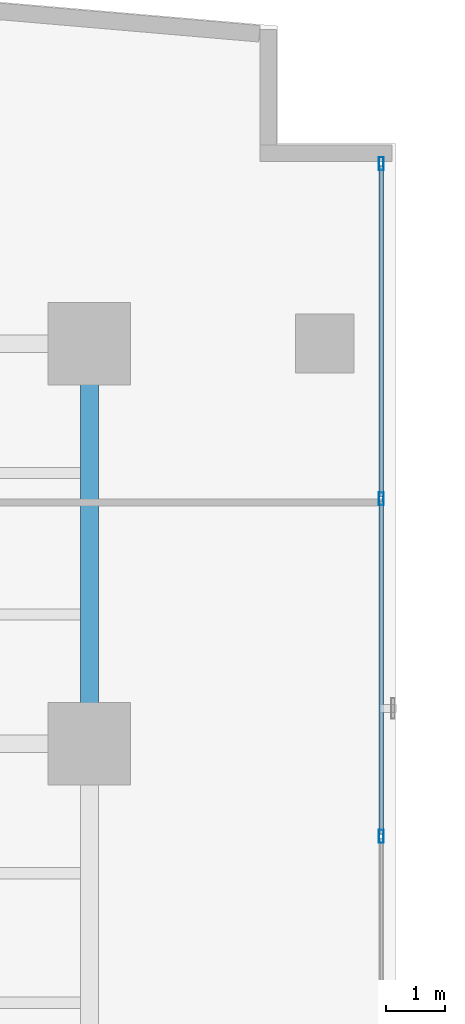
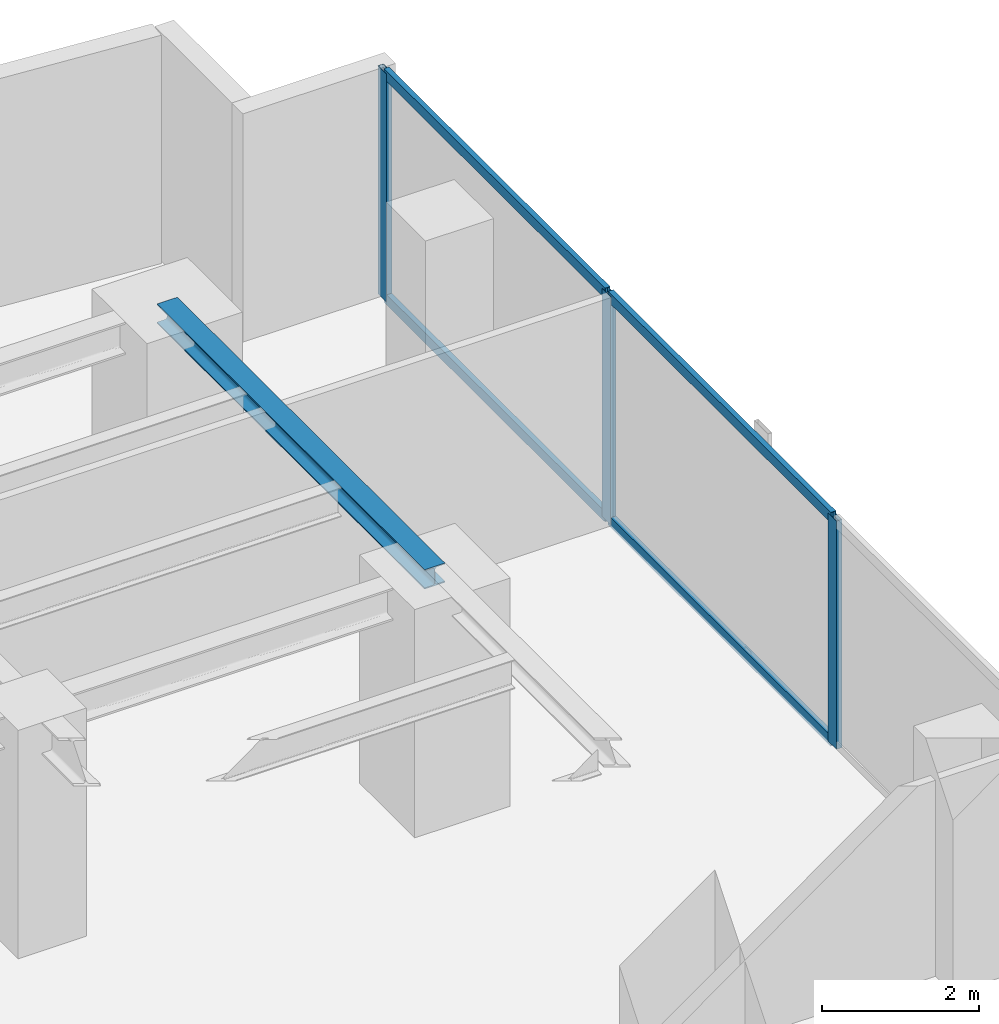
# One storey, part 18 of 28: 7 members, 1 beam, 1 element without a shape of its own.
"""IFC4 building model written with IfcOpenShell, lengths in metres."""

from ifc_helpers import new_model, si_unit, direction, frame, origin, origin_with_axes, origin_2d, place, context, subcontext, project, spatial, hollow_rectangle, i_section, extrude, source, transform, mapped, material, layer, layer_set, material_profile, profile_set, type_object, element, aggregate, save


model = new_model("IFC4")

# Units and contexts
model_context = context("Model", 3, precision=1e-05, world=origin(), true_north=direction((0.0, 1.0)))
body_context = subcontext(model_context, "Body", "Model", "MODEL_VIEW")
ifc_project = project(units=[si_unit("LENGTHUNIT", "METRE"), si_unit("AREAUNIT", "SQUARE_METRE"), si_unit("VOLUMEUNIT", "CUBIC_METRE"), si_unit("PLANEANGLEUNIT", "RADIAN"), si_unit("MASSUNIT", "GRAM", prefix="KILO")], contexts=[model_context])

# Site, building, storey
site_placement = place(None, origin())
site = spatial("IfcSite", under=ifc_project, at=site_placement, CompositionType="ELEMENT")
building_placement = place(site_placement, origin())
building = spatial("IfcBuilding", under=site, at=building_placement, Name="Kolvaren Waterfront Exchange", CompositionType="ELEMENT")
storey_placement = place(building_placement, frame((0.0, 0.0, 103.10009765625)))
storey = spatial("IfcBuildingStorey", under=building, at=storey_placement, Name="L26", CompositionType="ELEMENT", Elevation=103.10009765625)

# Beam
ifc_material_1 = material(Name="Steel S355", Category="steel")
ifc_material_profile_1 = material_profile(ifc_material_1, i_section(OverallWidth=0.300048828125, OverallDepth=0.300048828125, WebThickness=0.010986328125, FlangeThickness=0.01904296875, FilletRadius=0.027099609375, at=origin_2d()), Name="HEB300")
ifc_profile_set_1 = profile_set([ifc_material_profile_1], Name="Steel S355")
beam_type = type_object("IfcBeamType", Name="STR-BM-HEB300", PredefinedType="SPANDREL", material=ifc_profile_set_1)
beam_placement = place(storey_placement, frame((18.800048828125, 37.800048828125, 3.389892578125), z_axis=(0.0, 1.0, 0.0), x_axis=(-1.0, 0.0, 0.0)))
element("IfcBeam", 1, at=beam_placement, inside=storey, type_object=beam_type, Name="L26 north-arm edge beam 3", PredefinedType="SPANDREL", context=body_context, shape_type="SweptSolid", body=[
    extrude(i_section(OverallWidth=0.300048828125, OverallDepth=0.300048828125, WebThickness=0.010986328125, FlangeThickness=0.01904296875, FilletRadius=0.027099609375, at=origin_2d()), origin(), (0.0, 0.0, 1.0), 6.800048828125),
])

# Curtain wall, members
ifc_material_2 = material(Name="Anodised bronze aluminium 6063-T6", Category="aluminium")
ifc_layer = layer(ifc_material_2, 0.219970703125, Name="Anodised bronze aluminium 6063-T6")
ifc_layer_set = layer_set([ifc_layer], Name="Anodised bronze aluminium 6063-T6")
curtain_wall_type = type_object("IfcCurtainWallType", Name="ARC-CW-SYS1", PredefinedType="USERDEFINED", material=ifc_layer_set)
curtain_wall_placement = place(storey_placement, origin())
curtain_wall = element("IfcCurtainWall", 2, at=curtain_wall_placement, inside=storey, type_object=curtain_wall_type, Name="L26 stick curtain wall CW1 (CW-L26-NE)", ObjectType="STICK CURTAIN WALL", PredefinedType="USERDEFINED")
ifc_material_3 = material(Name="Anodised aluminium 6063-T6", Category="aluminium")
ifc_material_profile_2 = material_profile(ifc_material_3, hollow_rectangle(XDim=0.080078125, YDim=0.219970703125, WallThickness=0.0048828125, at=origin_2d()), Name="ALU-MUL-220x80x5")
ifc_profile_set_2 = profile_set([ifc_material_profile_2], Name="Anodised aluminium 6063-T6")
member_type_1 = type_object("IfcMemberType", Name="ARC-CWM-220", PredefinedType="MULLION", material=ifc_profile_set_2)
shared_shape_1 = source(origin_with_axes(), body_context, "Body", "SweptSolid", [
    extrude(hollow_rectangle(XDim=0.080078125, YDim=0.219970703125, WallThickness=0.0048828125, at=origin_2d()), origin(), (0.0, 0.0, 1.0), 3.539794921875),
])
member_1_placement = place(storey_placement, frame((23.760009765625, 36.2265625, 0.0), z_axis=(0.0, 0.0, 1.0), x_axis=(-1.0, 0.0, 0.0)))
member_1 = element("IfcMember", 3, at=member_1_placement, type_object=member_type_1, Name="CW1 mullion 2", PredefinedType="MULLION", context=body_context, shape_type="MappedRepresentation", body=[
    mapped(shared_shape_1, transform((0.0, 0.0, 0.0), x_axis=(1.0, 0.0, 0.0), y_axis=(0.0, 1.0, 0.0), z_axis=(0.0, 0.0, 1.0), scale=1.0)),
])
member_2_placement = place(storey_placement, frame((23.760009765625, 41.96337890625, 0.0), z_axis=(0.0, 0.0, 1.0), x_axis=(-1.0, 0.0, 0.0)))
member_2 = element("IfcMember", 4, at=member_2_placement, type_object=member_type_1, Name="CW1 mullion 3", PredefinedType="MULLION", context=body_context, shape_type="MappedRepresentation", body=[
    mapped(shared_shape_1, transform((0.0, 0.0, 0.0), x_axis=(1.0, 0.0, 0.0), y_axis=(0.0, 1.0, 0.0), z_axis=(0.0, 0.0, 1.0), scale=1.0)),
])
member_3_placement = place(storey_placement, frame((23.760009765625, 47.659912109375, 0.0), z_axis=(0.0, 0.0, 1.0), x_axis=(-1.0, 0.0, 0.0)))
member_3 = element("IfcMember", 5, at=member_3_placement, type_object=member_type_1, Name="CW1 mullion 4", PredefinedType="MULLION", context=body_context, shape_type="MappedRepresentation", body=[
    mapped(shared_shape_1, transform((0.0, 0.0, 0.0), x_axis=(1.0, 0.0, 0.0), y_axis=(0.0, 1.0, 0.0), z_axis=(0.0, 0.0, 1.0), scale=1.0)),
])
ifc_material_profile_3 = material_profile(ifc_material_3, hollow_rectangle(XDim=0.074951171875, YDim=0.159912109375, WallThickness=0.00439453125, at=origin_2d()), Name="ALU-TRN-160x75x4.5")
ifc_profile_set_3 = profile_set([ifc_material_profile_3], Name="Anodised aluminium 6063-T6")
member_type_2 = type_object("IfcMemberType", Name="ARC-CWT-160", PredefinedType="USERDEFINED", material=ifc_profile_set_3)
shared_shape_2 = source(origin_with_axes(), body_context, "Body", "SweptSolid", [
    extrude(hollow_rectangle(XDim=0.074951171875, YDim=0.159912109375, WallThickness=0.00439453125, at=origin_2d()), origin(), (0.0, 0.0, 1.0), 5.61669921875),
])
member_4_placement = place(storey_placement, frame((23.760009765625, 42.00341796875, 0.037353515625), z_axis=(0.0, 1.0, 0.0), x_axis=(-1.0, 0.0, 0.0)))
member_4 = element("IfcMember", 6, at=member_4_placement, type_object=member_type_2, Name="CW1 transom 3.1", ObjectType="TRANSOM", PredefinedType="USERDEFINED", context=body_context, shape_type="MappedRepresentation", body=[
    mapped(shared_shape_2, transform((0.0, 0.0, 0.0), x_axis=(1.0, 0.0, 0.0), y_axis=(0.0, 1.0, 0.0), z_axis=(0.0, 0.0, 1.0), scale=1.0)),
])
member_5_placement = place(storey_placement, frame((23.760009765625, 42.00341796875, 3.50244140625), z_axis=(0.0, 1.0, 0.0), x_axis=(-1.0, 0.0, 0.0)))
member_5 = element("IfcMember", 7, at=member_5_placement, type_object=member_type_2, Name="CW1 transom 3.2", ObjectType="TRANSOM", PredefinedType="USERDEFINED", context=body_context, shape_type="MappedRepresentation", body=[
    mapped(shared_shape_2, transform((0.0, 0.0, 0.0), x_axis=(1.0, 0.0, 0.0), y_axis=(0.0, 1.0, 0.0), z_axis=(0.0, 0.0, 1.0), scale=1.0)),
])
shared_shape_3 = source(origin_with_axes(), body_context, "Body", "SweptSolid", [
    extrude(hollow_rectangle(XDim=0.074951171875, YDim=0.159912109375, WallThickness=0.00439453125, at=origin_2d()), origin(), (0.0, 0.0, 1.0), 5.65673828125),
])
member_6_placement = place(storey_placement, frame((23.760009765625, 36.2666015625, 0.037353515625), z_axis=(0.0, 1.0, 0.0), x_axis=(-1.0, 0.0, 0.0)))
member_6 = element("IfcMember", 8, at=member_6_placement, type_object=member_type_2, Name="CW1 transom 2.1", ObjectType="TRANSOM", PredefinedType="USERDEFINED", context=body_context, shape_type="MappedRepresentation", body=[
    mapped(shared_shape_3, transform((0.0, 0.0, 0.0), x_axis=(1.0, 0.0, 0.0), y_axis=(0.0, 1.0, 0.0), z_axis=(0.0, 0.0, 1.0), scale=1.0)),
])
member_7_placement = place(storey_placement, frame((23.760009765625, 36.2666015625, 3.50244140625), z_axis=(0.0, 1.0, 0.0), x_axis=(-1.0, 0.0, 0.0)))
member_7 = element("IfcMember", 9, at=member_7_placement, type_object=member_type_2, Name="CW1 transom 2.2", ObjectType="TRANSOM", PredefinedType="USERDEFINED", context=body_context, shape_type="MappedRepresentation", body=[
    mapped(shared_shape_3, transform((0.0, 0.0, 0.0), x_axis=(1.0, 0.0, 0.0), y_axis=(0.0, 1.0, 0.0), z_axis=(0.0, 0.0, 1.0), scale=1.0)),
])
aggregate(curtain_wall, [member_1, member_2, member_3, member_6, member_7, member_4, member_5])

save(model, "model.ifc")
